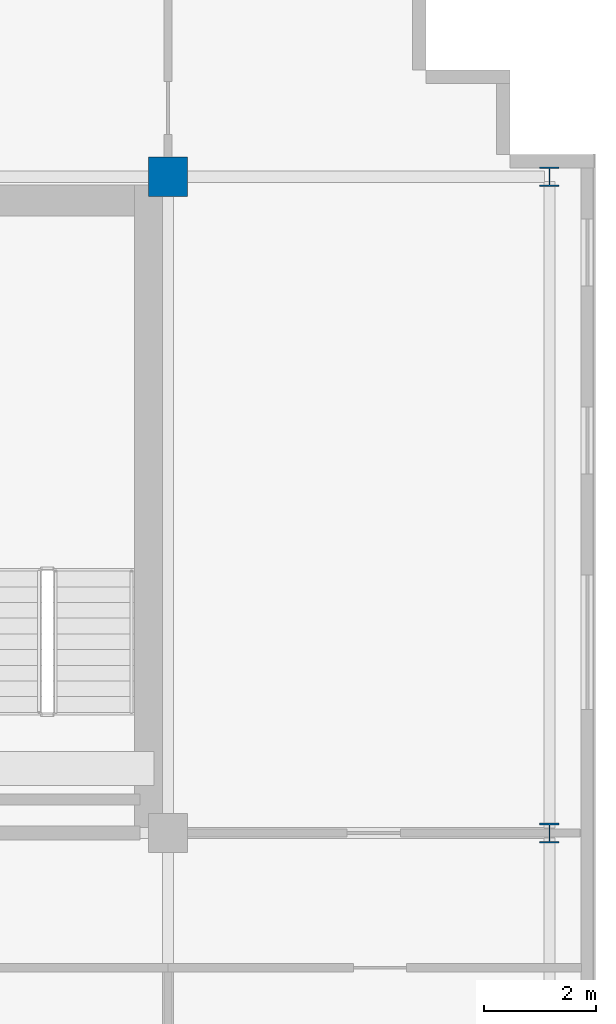
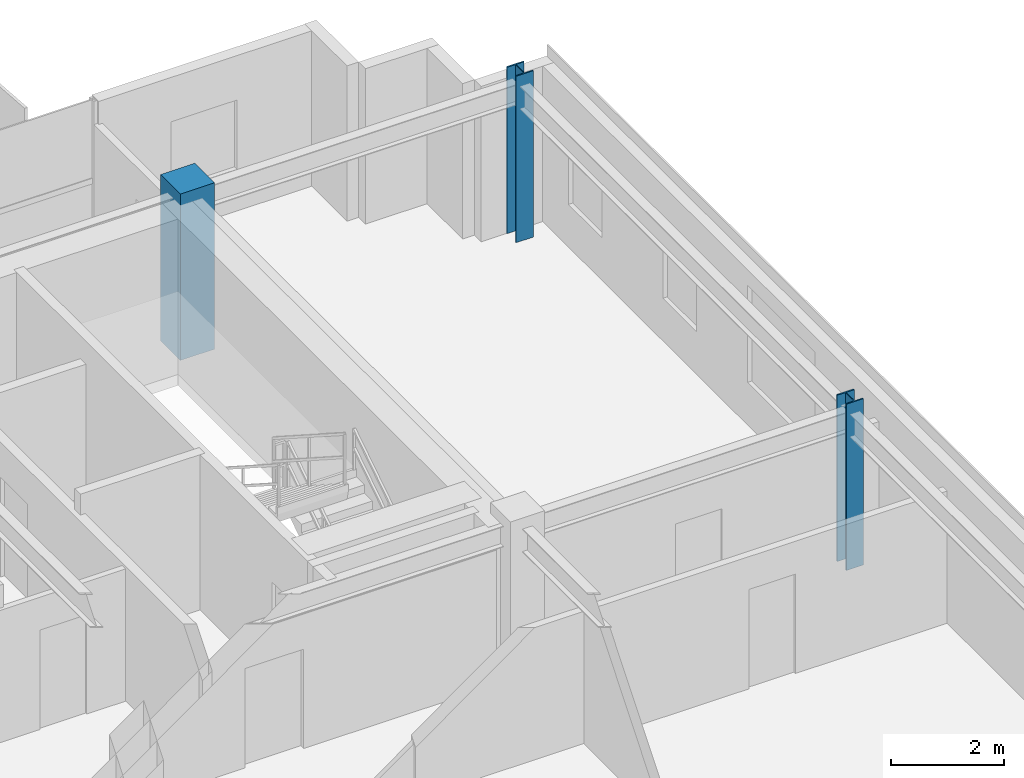
# One storey, part 4 of 27: 3 columns.
"""IFC4 building model written with IfcOpenShell, lengths in metres."""

from ifc_helpers import new_model, si_unit, direction, frame, origin, origin_2d, place, context, subcontext, project, spatial, rectangle, i_section, extrude, source, transform, mapped, material, material_profile, profile_set, type_object, element, save


model = new_model("IFC4")

# Units and contexts
model_context = context("Model", 3, precision=1e-05, world=origin(), true_north=direction((0.0, 1.0)))
body_context = subcontext(model_context, "Body", "Model", "MODEL_VIEW")
ifc_project = project(units=[si_unit("LENGTHUNIT", "METRE"), si_unit("AREAUNIT", "SQUARE_METRE"), si_unit("VOLUMEUNIT", "CUBIC_METRE"), si_unit("PLANEANGLEUNIT", "RADIAN"), si_unit("MASSUNIT", "GRAM", prefix="KILO")], contexts=[model_context])

# Site, building, storey
site_placement = place(None, origin())
site = spatial("IfcSite", under=ifc_project, at=site_placement, CompositionType="ELEMENT")
building_placement = place(site_placement, origin())
building = spatial("IfcBuilding", under=site, at=building_placement, Name="Trelvane Seafront Commons", CompositionType="ELEMENT")
storey_placement = place(building_placement, frame((0.0, 0.0, 233.699951171875)))
storey = spatial("IfcBuildingStorey", under=building, at=storey_placement, Name="L61", CompositionType="ELEMENT", Elevation=233.699951171875)

# Columns
ifc_material_1 = material(Name="Concrete C50/60", Category="concrete")
ifc_material_profile_1 = material_profile(ifc_material_1, rectangle(XDim=0.699951171875, YDim=0.699951171875, at=origin_2d()), Name="RC-700x700")
ifc_profile_set_1 = profile_set([ifc_material_profile_1], Name="Concrete C50/60")
column_type_1 = type_object("IfcColumnType", Name="STR-COL-RC700", PredefinedType="COLUMN", material=ifc_profile_set_1)
shared_shape_1 = source(origin(), body_context, "Body", "SweptSolid", [
    extrude(rectangle(XDim=0.699951171875, YDim=0.699951171875, at=origin_2d()), origin(), (0.0, 0.0, 1.0), 3.60009765625),
])
column_placement = place(storey_placement, frame((58.800048828125, 45.10009765625, 0.0), z_axis=(0.0, 0.0, 1.0), x_axis=(1.0, 0.0, 0.0)))
element("IfcColumn", 1, at=column_placement, inside=storey, type_object=column_type_1, Name="L61 Column TC-CN58.8", PredefinedType="COLUMN", context=body_context, shape_type="MappedRepresentation", body=[
    mapped(shared_shape_1, transform((0.0, 0.0, 0.0), x_axis=(1.0, 0.0, 0.0), y_axis=(0.0, 1.0, 0.0), z_axis=(0.0, 0.0, 1.0), scale=1.0)),
])
ifc_material_2 = material(Name="Steel SM355 (S355)", Category="steel")
ifc_material_profile_2 = material_profile(ifc_material_2, i_section(OverallWidth=0.35009765625, OverallDepth=0.35009765625, WebThickness=0.01806640625, FlangeThickness=0.028076171875, at=origin_2d()), Name="HD-350x350x18x28")
ifc_profile_set_2 = profile_set([ifc_material_profile_2], Name="Steel SM355 (S355)")
column_type_2 = type_object("IfcColumnType", Name="STR-COL-HD350", PredefinedType="COLUMN", material=ifc_profile_set_2)
shared_shape_2 = source(origin(), body_context, "Body", "SweptSolid", [
    extrude(i_section(OverallWidth=0.35009765625, OverallDepth=0.35009765625, WebThickness=0.01806640625, FlangeThickness=0.028076171875, at=origin_2d()), origin(), (0.0, 0.0, 1.0), 3.60009765625),
])
for number, where, z_axis, x_axis, name in (
    (2, (65.60009765625, 33.39990234375, 0.0), (0.0, 0.0, 1.0), (1.0, 0.0, 0.0), "L61 Column TC-CS65.6"),
    (3, (65.60009765625, 45.10009765625, 0.0), (0.0, 0.0, 1.0), (1.0, 0.0, 0.0), "L61 Column TC-CN65.6"),
):
    element("IfcColumn", number, at=place(storey_placement, frame(where, z_axis=z_axis, x_axis=x_axis)), inside=storey, type_object=column_type_2, Name=name, PredefinedType="COLUMN", context=body_context, shape_type="MappedRepresentation", body=[
        mapped(shared_shape_2, transform((0.0, 0.0, 0.0), x_axis=(1.0, 0.0, 0.0), y_axis=(0.0, 1.0, 0.0), z_axis=(0.0, 0.0, 1.0), scale=1.0)),
    ])

save(model, "model.ifc")
